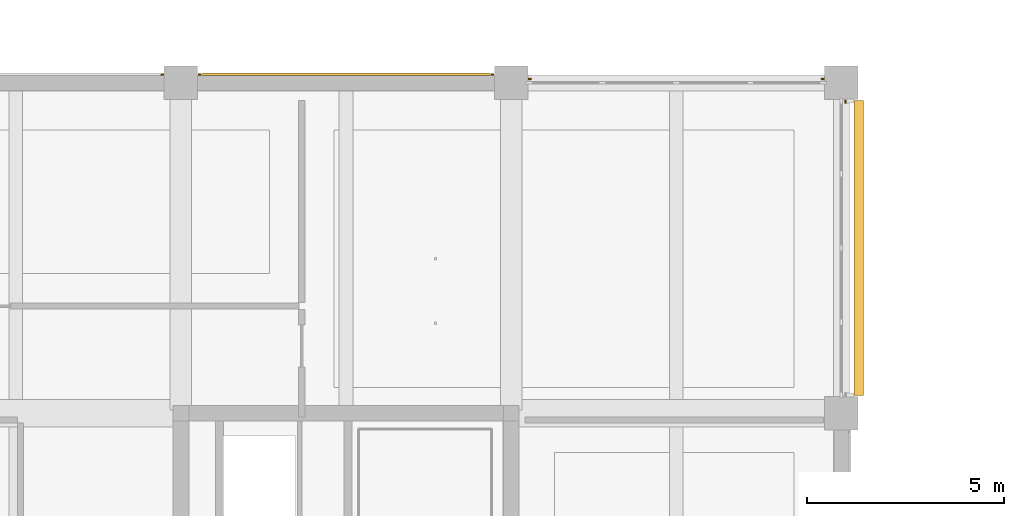
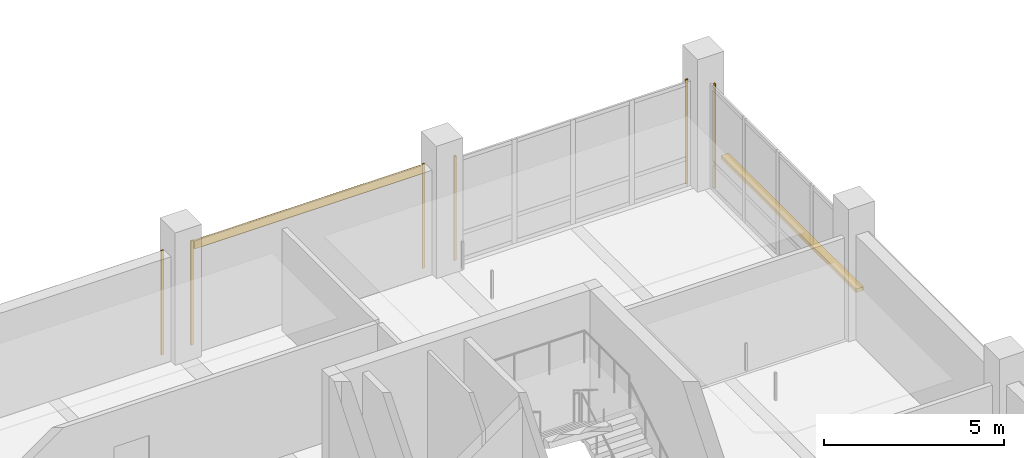
# One storey, part 39 of 39: 7 coverings, 1 shading device.
"""IFC4 building model written with IfcOpenShell, lengths in metres."""

from ifc_helpers import new_model, si_unit, direction, frame, origin, origin_2d, place, context, subcontext, project, spatial, rectangle, extrude, material, layer, layer_set, type_object, element, save


model = new_model("IFC4")

# Units and contexts
model_context = context("Model", 3, precision=1e-05, world=origin(), true_north=direction((0.0, 1.0)))
body_context = subcontext(model_context, "Body", "Model", "MODEL_VIEW")
ifc_project = project(units=[si_unit("LENGTHUNIT", "METRE"), si_unit("AREAUNIT", "SQUARE_METRE"), si_unit("VOLUMEUNIT", "CUBIC_METRE"), si_unit("PLANEANGLEUNIT", "RADIAN"), si_unit("MASSUNIT", "GRAM", prefix="KILO")], contexts=[model_context])

# Site, building, storey
site_placement = place(None, origin())
site = spatial("IfcSite", under=ifc_project, at=site_placement, CompositionType="ELEMENT")
building_placement = place(site_placement, origin())
building = spatial("IfcBuilding", under=site, at=building_placement, Name="Telukmera Botanical Conservatory", CompositionType="ELEMENT")
storey_placement = place(building_placement, frame((0.0, 0.0, 19.5)))
storey = spatial("IfcBuildingStorey", under=building, at=storey_placement, Name="L04", CompositionType="ELEMENT", Elevation=19.5)

# Coverings
ifc_material_1 = material(Name="Granite-faced precast concrete C40/50", Category="masonry")
ifc_layer_1 = layer(ifc_material_1, 0.0400390625)
ifc_layer_set_1 = layer_set([ifc_layer_1], Name="Granite-faced precast concrete C40/50")
covering_type_1 = type_object("IfcCoveringType", Name="Granite Precast Column Pier Reveal Casing", PredefinedType="CLADDING", material=ifc_layer_set_1)
for number, where, z_axis, x_axis, name in (
    (1, (91.923095703125, 43.010009765625, 0.0), (0.0, 0.0, 1.0), (1.0, 0.0, 0.0), "Granite Pier Reveal V4:L04:N5 R"),
    (2, (92.876953125, 43.010009765625, 0.0), (0.0, 0.0, 1.0), (1.0, 0.0, 0.0), "Granite Pier Reveal V4:L04:N6 L"),
    (3, (100.322998046875, 43.010009765625, 0.0), (0.0, 0.0, 1.0), (1.0, 0.0, 0.0), "Granite Pier Reveal V4:L04:N6 R"),
    (4, (101.277099609375, 42.89990234375, 0.0), (0.0, 0.0, 1.0), (1.0, 0.0, 0.0), "Granite Pier Reveal V4:L04:N7 L"),
    (5, (108.722900390625, 42.89990234375, 0.0), (0.0, 0.0, 1.0), (1.0, 0.0, 0.0), "Granite Pier Reveal V4:L04:N7 R"),
    (6, (109.300048828125, 42.322998046875, 0.0), (0.0, 0.0, 1.0), (0.0, 1.0, 0.0), "Granite Pier Reveal V4:L04:E4 R"),
):
    element("IfcCovering", number, at=place(storey_placement, frame(where, z_axis=z_axis, x_axis=x_axis)), inside=storey, type_object=covering_type_1, Name=name, PredefinedType="CLADDING", context=body_context, shape_type="SweptSolid", body=[
        extrude(rectangle(XDim=0.080078125, YDim=0.0400390625, at=origin_2d()), origin(), (0.0, 0.0, 1.0), 3.550048828125),
    ])

# Shading device
ifc_material_2 = material(Name="Perforated terracotta-anodised aluminium 6063-T6", Category="masonry")
ifc_layer_2 = layer(ifc_material_2, 0.044921875)
ifc_layer_set_2 = layer_set([ifc_layer_2], Name="Perforated terracotta-anodised aluminium 6063-T6")
shading_device_type = type_object("IfcShadingDeviceType", Name="Perforated Terracotta Aluminium Monsoon Brise Soleil", PredefinedType="JALOUSIE", material=ifc_layer_set_2)
shading_device_placement = place(storey_placement, frame((109.639892578125, 38.60009765625, 0.889892578125), z_axis=(0.0, 0.0, 1.0), x_axis=(0.0, 1.0, 0.0)))
element("IfcShadingDevice", 7, at=shading_device_placement, inside=storey, type_object=shading_device_type, Name="Monsoon Shading BS01 V4:L04:E4", PredefinedType="JALOUSIE", context=body_context, shape_type="SweptSolid", body=[
    extrude(rectangle(XDim=7.506103515625, YDim=0.239990234375, at=origin_2d()), origin(), (0.0, 0.0, 1.0), 0.1201171875),
])

# Covering
ifc_material_3 = material(Name="Terracotta-faced precast concrete C40/50", Category="masonry")
ifc_layer_3 = layer(ifc_material_3, 0.06005859375)
ifc_layer_set_3 = layer_set([ifc_layer_3], Name="Terracotta-faced precast concrete C40/50")
covering_type_2 = type_object("IfcCoveringType", Name="Polychrome Terracotta Facade Band Cladding", PredefinedType="CLADDING", material=ifc_layer_set_3)
covering_placement = place(storey_placement, frame((96.60009765625, 43.02001953125, 3.22998046875), z_axis=(0.0, 0.0, 1.0), x_axis=(1.0, 0.0, 0.0)))
element("IfcCovering", 8, at=covering_placement, inside=storey, type_object=covering_type_2, Name="Polychrome Terracotta Band V4:L04:N6", PredefinedType="CLADDING", context=body_context, shape_type="SweptSolid", body=[
    extrude(rectangle(XDim=7.305908203125, YDim=0.06005859375, at=origin_2d()), origin(), (0.0, 0.0, 1.0), 0.280029296875),
])

save(model, "model.ifc")
